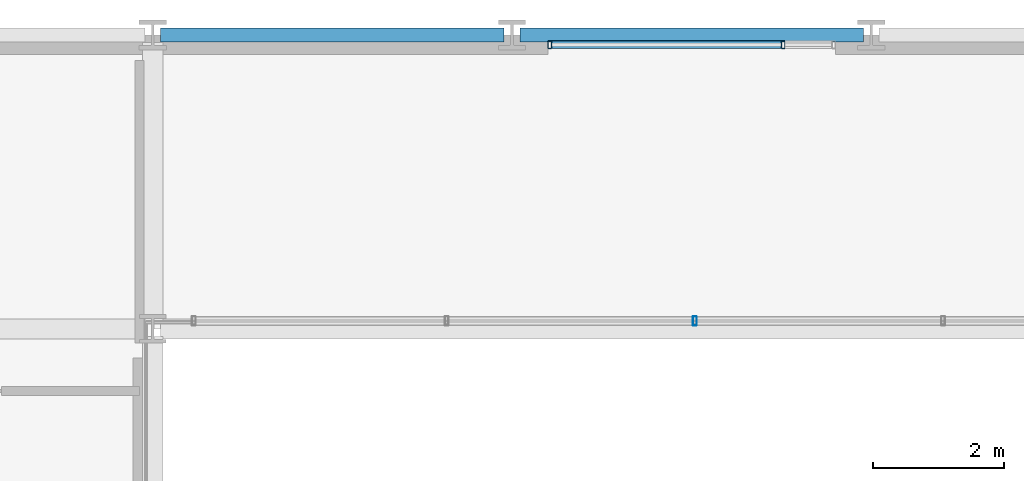
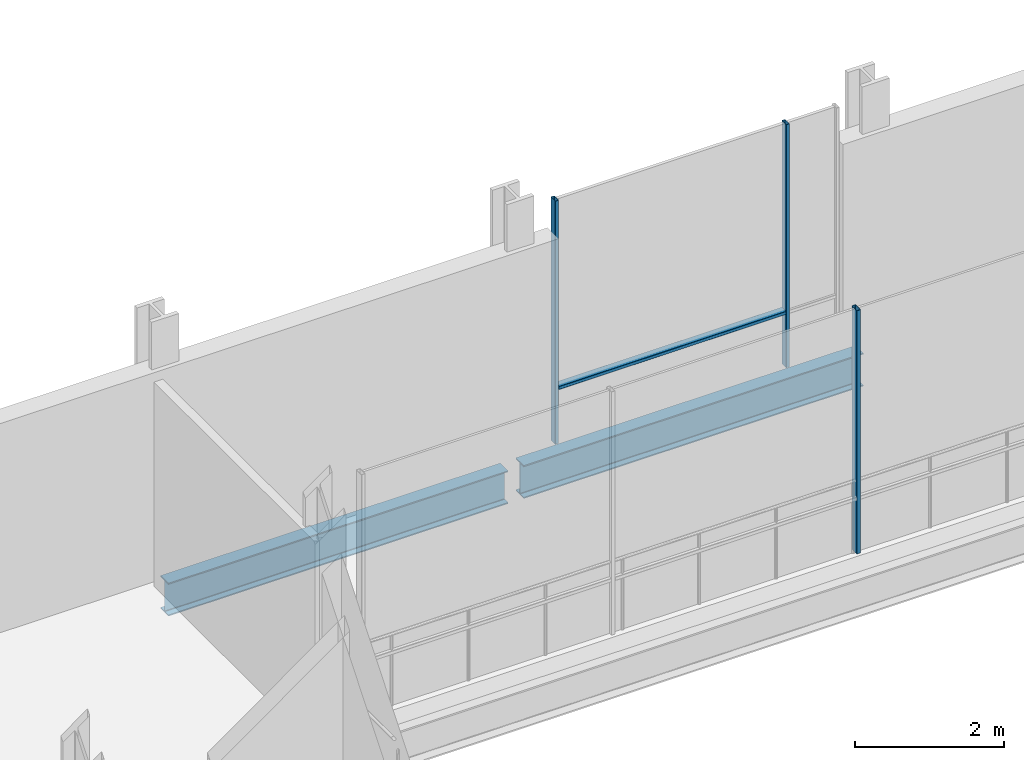
# One storey, part 13 of 32: 4 members, 2 beams, 2 elements without a shape of their own.
"""IFC4 building model written with IfcOpenShell, lengths in metres."""

from ifc_helpers import new_model, si_unit, direction, frame, origin, origin_2d, place, context, subcontext, project, spatial, hollow_rectangle, i_section, extrude, material, layer, layer_set, material_profile, profile_set, type_object, element, aggregate, save


model = new_model("IFC4")

# Units and contexts
model_context = context("Model", 3, precision=1e-05, world=origin(), true_north=direction((0.0, 1.0)))
body_context = subcontext(model_context, "Body", "Model", "MODEL_VIEW")
ifc_project = project(units=[si_unit("LENGTHUNIT", "METRE"), si_unit("AREAUNIT", "SQUARE_METRE"), si_unit("VOLUMEUNIT", "CUBIC_METRE"), si_unit("PLANEANGLEUNIT", "RADIAN"), si_unit("MASSUNIT", "GRAM", prefix="KILO")], contexts=[model_context])

# Site, building, storey
site_placement = place(None, origin())
site = spatial("IfcSite", under=ifc_project, at=site_placement, CompositionType="ELEMENT")
building_placement = place(site_placement, origin())
building = spatial("IfcBuilding", under=site, at=building_placement, Name="Brevholm Reach", CompositionType="ELEMENT")
storey_placement = place(building_placement, frame((0.0, 0.0, 96.199951171875)))
storey = spatial("IfcBuildingStorey", under=building, at=storey_placement, Name="L28", CompositionType="ELEMENT", Elevation=96.199951171875)

# Beams
ifc_material_1 = material(Name="Structural Steel S355J2", Category="steel")
ifc_material_profile_1 = material_profile(ifc_material_1, i_section(OverallWidth=0.210693359375, OverallDepth=0.53955078125, WebThickness=0.01171875, FlangeThickness=0.018798828125, FilletRadius=0.0126953125, at=origin_2d()), Name="UKB 533x210x109")
ifc_profile_set_1 = profile_set([ifc_material_profile_1], Name="Structural Steel S355J2")
beam_type = type_object("IfcBeamType", Name="BM-SP539", PredefinedType="SPANDREL", material=ifc_profile_set_1)
for number, where, z_axis, x_axis, name in (
    (1, (21.8701171875, 31.0, -0.52978515625), (1.0, 0.0, 0.0), (0.0, 1.0, 0.0), "L28 SP-01B Framing Beam"),
    (2, (27.3701171875, 31.0, -0.52978515625), (1.0, 0.0, 0.0), (0.0, 1.0, 0.0), "L28 SP-01B Framing Beam"),
):
    element("IfcBeam", number, at=place(storey_placement, frame(where, z_axis=z_axis, x_axis=x_axis)), inside=storey, type_object=beam_type, Name=name, PredefinedType="SPANDREL", context=body_context, shape_type="SweptSolid", body=[
        extrude(i_section(OverallWidth=0.210693359375, OverallDepth=0.53955078125, WebThickness=0.01171875, FlangeThickness=0.018798828125, FilletRadius=0.0126953125, at=origin_2d()), origin(), (0.0, 0.0, 1.0), 5.259765625),
    ])

# Curtain wall, members
ifc_material_2 = material(Name="Dark Anodised Aluminium 6063-T6 and Solar-Control Glass", Category="aluminium")
ifc_layer_1 = layer(ifc_material_2, 0.1201171875)
ifc_layer_set_1 = layer_set([ifc_layer_1], Name="Dark Anodised Aluminium 6063-T6 and Solar-Control Glass")
curtain_wall_type_1 = type_object("IfcCurtainWallType", Name="CW-06", PredefinedType="NOTDEFINED", material=ifc_layer_set_1)
curtain_wall_1_placement = place(storey_placement, origin())
curtain_wall_1 = element("IfcCurtainWall", 3, at=curtain_wall_1_placement, inside=storey, type_object=curtain_wall_type_1, Name="L28 Curtain Wall CW-06", PredefinedType="NOTDEFINED")
ifc_material_3 = material(Name="Dark Anodised Aluminium 6063-T6", Category="aluminium")
ifc_material_profile_2 = material_profile(ifc_material_3, hollow_rectangle(XDim=0.054931640625, YDim=0.1201171875, WallThickness=0.00390625, InnerFilletRadius=0.00390625, OuterFilletRadius=0.008056640625, at=origin_2d()), Name="RHS 120x55x4")
ifc_profile_set_2 = profile_set([ifc_material_profile_2], Name="Dark Anodised Aluminium 6063-T6")
member_type_1 = type_object("IfcMemberType", Name="CWM-120", PredefinedType="MULLION", material=ifc_profile_set_2)
member_1_placement = place(storey_placement, frame((27.827392578125, 30.85009765625, 0.0), z_axis=(0.0, 0.0, 1.0), x_axis=(1.0, 0.0, 0.0)))
member_1 = element("IfcMember", 4, at=member_1_placement, type_object=member_type_1, Name="CM-120 Mullion 1", PredefinedType="MULLION", context=body_context, shape_type="SweptSolid", body=[
    extrude(hollow_rectangle(XDim=0.054931640625, YDim=0.1201171875, WallThickness=0.00390625, InnerFilletRadius=0.00390625, OuterFilletRadius=0.008056640625, at=origin_2d()), origin(), (0.0, 0.0, 1.0), 3.97998046875),
])
member_2_placement = place(storey_placement, frame((31.39990234375, 30.85009765625, 0.0), z_axis=(0.0, 0.0, 1.0), x_axis=(1.0, 0.0, 0.0)))
member_2 = element("IfcMember", 5, at=member_2_placement, type_object=member_type_1, Name="CM-120 Mullion 2", PredefinedType="MULLION", context=body_context, shape_type="SweptSolid", body=[
    extrude(hollow_rectangle(XDim=0.054931640625, YDim=0.1201171875, WallThickness=0.00390625, InnerFilletRadius=0.00390625, OuterFilletRadius=0.008056640625, at=origin_2d()), origin(), (0.0, 0.0, 1.0), 3.97998046875),
])

# Curtain wall, member
ifc_material_4 = material(Name="Dark Anodised Aluminium 6063-T6 and Solar-Control Glass", Category="aluminium")
ifc_layer_2 = layer(ifc_material_4, 0.139892578125)
ifc_layer_set_2 = layer_set([ifc_layer_2], Name="Dark Anodised Aluminium 6063-T6 and Solar-Control Glass")
curtain_wall_type_2 = type_object("IfcCurtainWallType", Name="CW-02", PredefinedType="NOTDEFINED", material=ifc_layer_set_2)
curtain_wall_2_placement = place(storey_placement, origin())
curtain_wall_2 = element("IfcCurtainWall", 6, at=curtain_wall_2_placement, inside=storey, type_object=curtain_wall_type_2, Name="L28 Curtain Wall CW-02", PredefinedType="NOTDEFINED")
ifc_material_5 = material(Name="Dark Anodised Aluminium 6063-T6", Category="aluminium")
ifc_material_profile_3 = material_profile(ifc_material_5, hollow_rectangle(XDim=0.06005859375, YDim=0.139892578125, WallThickness=0.0048828125, InnerFilletRadius=0.0048828125, OuterFilletRadius=0.010009765625, at=origin_2d()), Name="RHS 140x60x5")
ifc_profile_set_3 = profile_set([ifc_material_profile_3], Name="Dark Anodised Aluminium 6063-T6")
member_type_2 = type_object("IfcMemberType", Name="CWM-140", PredefinedType="MULLION", material=ifc_profile_set_3)
member_3_placement = place(storey_placement, frame((30.050048828125, 26.6201171875, 0.0), z_axis=(0.0, 0.0, 1.0), x_axis=(-1.0, 0.0, 0.0)))
member_3 = element("IfcMember", 7, at=member_3_placement, type_object=member_type_2, Name="CM-140 Mullion 3", PredefinedType="MULLION", context=body_context, shape_type="SweptSolid", body=[
    extrude(hollow_rectangle(XDim=0.06005859375, YDim=0.139892578125, WallThickness=0.0048828125, InnerFilletRadius=0.0048828125, OuterFilletRadius=0.010009765625, at=origin_2d()), origin(), (0.0, 0.0, 1.0), 3.97998046875),
])
aggregate(curtain_wall_2, [member_3])

# Member
ifc_material_6 = material(Name="Dark Anodised Aluminium 6063-T6", Category="aluminium")
ifc_material_profile_4 = material_profile(ifc_material_6, hollow_rectangle(XDim=0.054931640625, YDim=0.1201171875, WallThickness=0.00390625, InnerFilletRadius=0.00390625, OuterFilletRadius=0.008056640625, at=origin_2d()), Name="RHS 120x55x4")
ifc_profile_set_4 = profile_set([ifc_material_profile_4], Name="Dark Anodised Aluminium 6063-T6")
member_type_3 = type_object("IfcMemberType", Name="CWT-120", PredefinedType="NOTDEFINED", material=ifc_profile_set_4)
member_4_placement = place(storey_placement, frame((27.85498046875, 30.85009765625, 0.900146484375), z_axis=(1.0, 0.0, 0.0), x_axis=(0.0, 0.0, 1.0)))
member_4 = element("IfcMember", 8, at=member_4_placement, type_object=member_type_3, Name="CT-120 Transom 1.1", ObjectType="TRANSOM", PredefinedType="USERDEFINED", context=body_context, shape_type="SweptSolid", body=[
    extrude(hollow_rectangle(XDim=0.054931640625, YDim=0.1201171875, WallThickness=0.00390625, InnerFilletRadius=0.00390625, OuterFilletRadius=0.008056640625, at=origin_2d()), origin(), (0.0, 0.0, 1.0), 3.517578125),
])

aggregate(curtain_wall_1, [member_1, member_2, member_4])

save(model, "model.ifc")
